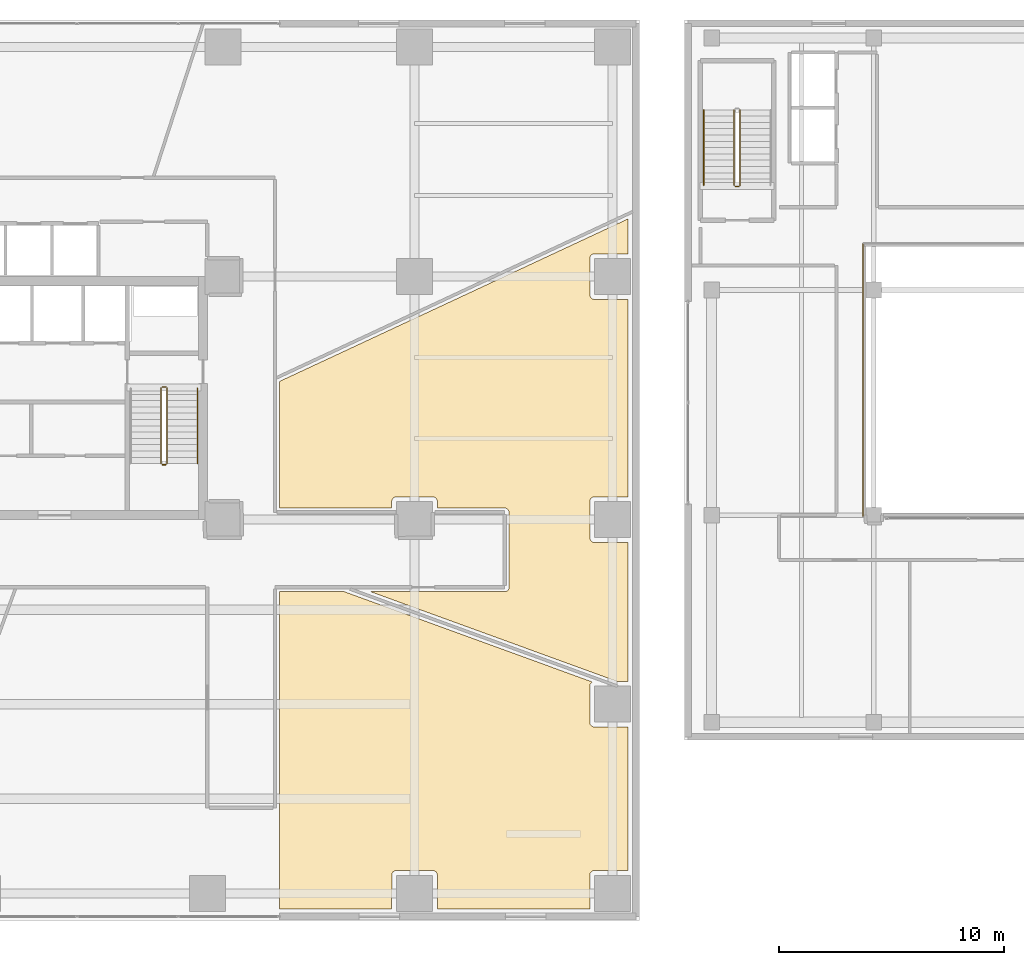
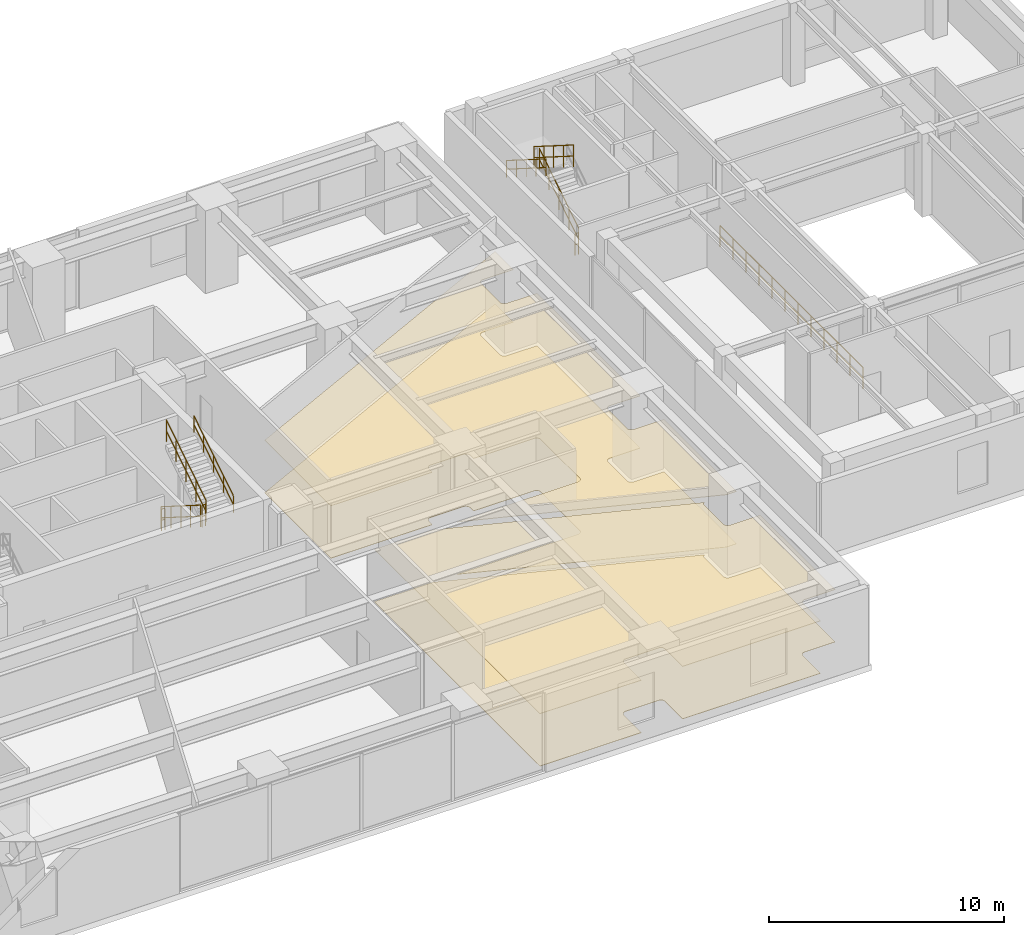
# One storey, part 24 of 25: 10 railings, 4 coverings.
"""IFC4 building model written with IfcOpenShell, lengths in metres."""

from ifc_helpers import new_model, si_unit, direction, frame, origin, origin_2d, place, context, subcontext, project, spatial, polyline, circle, outline, extrude, material, layer, layer_set, type_object, element, save


model = new_model("IFC4")

# Units and contexts
model_context = context("Model", 3, precision=1e-05, world=origin(), true_north=direction((0.0, 1.0)))
body_context = subcontext(model_context, "Body", "Model", "MODEL_VIEW")
ifc_project = project(units=[si_unit("LENGTHUNIT", "METRE"), si_unit("AREAUNIT", "SQUARE_METRE"), si_unit("VOLUMEUNIT", "CUBIC_METRE"), si_unit("PLANEANGLEUNIT", "RADIAN"), si_unit("MASSUNIT", "GRAM", prefix="KILO")], contexts=[model_context])

# Site, building, storey
site_placement = place(None, origin())
site = spatial("IfcSite", under=ifc_project, at=site_placement, CompositionType="ELEMENT")
building_placement = place(site_placement, origin())
building = spatial("IfcBuilding", under=site, at=building_placement, Name="Talar Marvaseh", CompositionType="ELEMENT")
storey_placement = place(building_placement, frame((0.0, 0.0, 5.199951171875)))
storey = spatial("IfcBuildingStorey", under=building, at=storey_placement, Name="L01", CompositionType="ELEMENT", Elevation=5.199951171875)

# Railings
ifc_material_1 = material(Name="Stainless Steel Grade 316", Category="steel")
railing_type_1 = type_object("IfcRailingType", Name="Brushed Stainless Wall Pitch Handrail 900", PredefinedType="HANDRAIL", material=ifc_material_1)
railing_1_placement = place(storey_placement, frame((32.35009765625, 28.2900390625, 2.47705078125)))
element("IfcRailing", 1, at=railing_1_placement, inside=storey, type_object=railing_type_1, Name="L01 ST-2 stair handrail 2", PredefinedType="HANDRAIL", context=body_context, shape_type="SweptSolid", body=[
    extrude(circle(Radius=0.02392578125, at=origin_2d()), frame((0.0, 0.0, 0.8759765625), z_axis=(0.0, 0.845372108799, 0.534177870812), x_axis=(-1.0, 0.0, 0.0)), (0.0, 0.0, 1.0), 3.974365234375),
    extrude(circle(Radius=0.02392578125, at=origin_2d()), frame((0.0, 0.0, 0.42578125), z_axis=(0.0, 0.845372108799, 0.534177870812), x_axis=(-1.0, 0.0, 0.0)), (0.0, 0.0, 1.0), 3.974365234375),
    extrude(circle(Radius=0.02099609375, at=origin_2d()), origin(), (0.0, 0.0, 1.0), 0.851806640625),
    extrude(circle(Radius=0.02099609375, at=origin_2d()), frame((0.0, 0.83984375, 0.53076171875)), (0.0, 0.0, 1.0), 0.851806640625),
    extrude(circle(Radius=0.02099609375, at=origin_2d()), frame((0.0, 1.679931640625, 1.0615234375)), (0.0, 0.0, 1.0), 0.851806640625),
    extrude(circle(Radius=0.02099609375, at=origin_2d()), frame((0.0, 2.52001953125, 1.59228515625)), (0.0, 0.0, 1.0), 0.851806640625),
    extrude(circle(Radius=0.02099609375, at=origin_2d()), frame((0.0, 3.35986328125, 2.123046875)), (0.0, 0.0, 1.0), 0.851806640625),
])
railing_2_placement = place(storey_placement, frame((54.85009765625, 44.010009765625, 2.47705078125)))
element("IfcRailing", 2, at=railing_2_placement, inside=storey, type_object=railing_type_1, Name="L01 MH-ST1 stair handrail 2", PredefinedType="HANDRAIL", context=body_context, shape_type="SweptSolid", body=[
    extrude(circle(Radius=0.02392578125, at=origin_2d()), frame((0.0, 0.0, 0.8759765625), z_axis=(0.0, -0.845389635667, 0.534150132366), x_axis=(1.0, 0.0, 0.0)), (0.0, 0.0, 1.0), 3.974609375),
    extrude(circle(Radius=0.02392578125, at=origin_2d()), frame((0.0, 0.0, 0.42578125), z_axis=(0.0, -0.845389635667, 0.534150132366), x_axis=(1.0, 0.0, 0.0)), (0.0, 0.0, 1.0), 3.974609375),
    extrude(circle(Radius=0.02099609375, at=origin_2d()), origin(), (0.0, 0.0, 1.0), 0.851806640625),
    extrude(circle(Radius=0.02099609375, at=origin_2d()), frame((0.0, -0.840087890625, 0.53076171875)), (0.0, 0.0, 1.0), 0.851806640625),
    extrude(circle(Radius=0.02099609375, at=origin_2d()), frame((0.0, -1.68017578125, 1.0615234375)), (0.0, 0.0, 1.0), 0.851806640625),
    extrude(circle(Radius=0.02099609375, at=origin_2d()), frame((0.0, -2.52001953125, 1.59228515625)), (0.0, 0.0, 1.0), 0.851806640625),
    extrude(circle(Radius=0.02099609375, at=origin_2d()), frame((0.0, -3.360107421875, 2.123046875)), (0.0, 0.0, 1.0), 0.851806640625),
])
ifc_material_2 = material(Name="Tempered Clear Glass", Category="glass")
railing_type_2 = type_object("IfcRailingType", Name="Interior Atrium Edge Balustrade 1120", PredefinedType="BALUSTRADE", material=ifc_material_2)
railing_3_placement = place(storey_placement, frame((61.919921875, 38.080078125, 0.0)))
element("IfcRailing", 3, at=railing_3_placement, inside=storey, type_object=railing_type_2, Name="L01 Market Courtyard Void Balustrade 4", PredefinedType="BALUSTRADE", context=body_context, shape_type="SweptSolid", body=[
    extrude(circle(Radius=0.02392578125, at=origin_2d()), frame((0.0, 0.0, 1.09619140625), z_axis=(0.0, -1.0, 0.0), x_axis=(1.0, 0.0, 0.0)), (0.0, 0.0, 1.0), 12.16015625),
    extrude(circle(Radius=0.02392578125, at=origin_2d()), frame((0.0, 0.0, 0.5361328125), z_axis=(0.0, -1.0, 0.0), x_axis=(1.0, 0.0, 0.0)), (0.0, 0.0, 1.0), 12.16015625),
    extrude(circle(Radius=0.02099609375, at=origin_2d()), origin(), (0.0, 0.0, 1.0), 1.072021484375),
    extrude(circle(Radius=0.02099609375, at=origin_2d()), frame((0.0, -1.10546875, 0.0)), (0.0, 0.0, 1.0), 1.072021484375),
    extrude(circle(Radius=0.02099609375, at=origin_2d()), frame((0.0, -2.2109375, 0.0)), (0.0, 0.0, 1.0), 1.072021484375),
    extrude(circle(Radius=0.02099609375, at=origin_2d()), frame((0.0, -3.31640625, 0.0)), (0.0, 0.0, 1.0), 1.072021484375),
    extrude(circle(Radius=0.02099609375, at=origin_2d()), frame((0.0, -4.421875, 0.0)), (0.0, 0.0, 1.0), 1.072021484375),
    extrude(circle(Radius=0.02099609375, at=origin_2d()), frame((0.0, -5.52734375, 0.0)), (0.0, 0.0, 1.0), 1.072021484375),
    extrude(circle(Radius=0.02099609375, at=origin_2d()), frame((0.0, -6.6328125, 0.0)), (0.0, 0.0, 1.0), 1.072021484375),
    extrude(circle(Radius=0.02099609375, at=origin_2d()), frame((0.0, -7.73828125, 0.0)), (0.0, 0.0, 1.0), 1.072021484375),
    extrude(circle(Radius=0.02099609375, at=origin_2d()), frame((0.0, -8.84375, 0.0)), (0.0, 0.0, 1.0), 1.072021484375),
    extrude(circle(Radius=0.02099609375, at=origin_2d()), frame((0.0, -9.94921875, 0.0)), (0.0, 0.0, 1.0), 1.072021484375),
    extrude(circle(Radius=0.02099609375, at=origin_2d()), frame((0.0, -11.0546875, 0.0)), (0.0, 0.0, 1.0), 1.072021484375),
    extrude(circle(Radius=0.02099609375, at=origin_2d()), frame((0.0, -12.16015625, 0.0)), (0.0, 0.0, 1.0), 1.072021484375),
])
railing_type_3 = type_object("IfcRailingType", Name="Painted Steel Core Stair Well Guardrail 1150", PredefinedType="GUARDRAIL", material=ifc_material_1)
railing_4_placement = place(storey_placement, frame((30.739990234375, 31.64990234375, 0.177001953125)))
element("IfcRailing", 4, at=railing_4_placement, inside=storey, type_object=railing_type_3, Name="L01 ST-2 stair guard 1", PredefinedType="GUARDRAIL", context=body_context, shape_type="SweptSolid", body=[
    extrude(circle(Radius=0.02392578125, at=origin_2d()), frame((0.0, 0.0, 1.1259765625), z_axis=(0.0, -0.845372108799, 0.534177870812), x_axis=(1.0, 0.0, 0.0)), (0.0, 0.0, 1.0), 3.974365234375),
    extrude(circle(Radius=0.02392578125, at=origin_2d()), frame((0.0, 0.0, 0.55078125), z_axis=(0.0, -0.845372108799, 0.534177870812), x_axis=(1.0, 0.0, 0.0)), (0.0, 0.0, 1.0), 3.974365234375),
    extrude(circle(Radius=0.02099609375, at=origin_2d()), origin(), (0.0, 0.0, 1.0), 1.101806640625),
    extrude(circle(Radius=0.02099609375, at=origin_2d()), frame((0.0, -0.83984375, 0.53076171875)), (0.0, 0.0, 1.0), 1.101806640625),
    extrude(circle(Radius=0.02099609375, at=origin_2d()), frame((0.0, -1.679931640625, 1.0615234375)), (0.0, 0.0, 1.0), 1.101806640625),
    extrude(circle(Radius=0.02099609375, at=origin_2d()), frame((0.0, -2.52001953125, 1.59228515625)), (0.0, 0.0, 1.0), 1.101806640625),
    extrude(circle(Radius=0.02099609375, at=origin_2d()), frame((0.0, -3.35986328125, 2.123046875)), (0.0, 0.0, 1.0), 1.101806640625),
])
railing_5_placement = place(storey_placement, frame((30.7900390625, 28.239990234375, 2.300048828125)))
element("IfcRailing", 5, at=railing_5_placement, inside=storey, type_object=railing_type_3, Name="L01 ST-2 stair guard 2", PredefinedType="GUARDRAIL", context=body_context, shape_type="SweptSolid", body=[
    extrude(circle(Radius=0.02392578125, at=origin_2d()), frame((0.0, 0.0, 1.1259765625), z_axis=(1.0, 0.0, 0.0), x_axis=(0.0, 1.0, 0.0)), (0.0, 0.0, 1.0), 0.159912109375),
    extrude(circle(Radius=0.02392578125, at=origin_2d()), frame((0.0, 0.0, 0.55078125), z_axis=(1.0, 0.0, 0.0), x_axis=(0.0, 1.0, 0.0)), (0.0, 0.0, 1.0), 0.159912109375),
    extrude(circle(Radius=0.02099609375, at=origin_2d()), origin(), (0.0, 0.0, 1.0), 1.101806640625),
    extrude(circle(Radius=0.02099609375, at=origin_2d()), frame((0.159912109375, 0.0, 0.0)), (0.0, 0.0, 1.0), 1.101806640625),
])
railing_6_placement = place(storey_placement, frame((31.0, 28.2900390625, 2.47705078125)))
element("IfcRailing", 6, at=railing_6_placement, inside=storey, type_object=railing_type_3, Name="L01 ST-2 stair guard 3", PredefinedType="GUARDRAIL", context=body_context, shape_type="SweptSolid", body=[
    extrude(circle(Radius=0.02392578125, at=origin_2d()), frame((0.0, 0.0, 1.1259765625), z_axis=(0.0, 0.845372108799, 0.534177870812), x_axis=(-1.0, 0.0, 0.0)), (0.0, 0.0, 1.0), 3.974365234375),
    extrude(circle(Radius=0.02392578125, at=origin_2d()), frame((0.0, 0.0, 0.55078125), z_axis=(0.0, 0.845372108799, 0.534177870812), x_axis=(-1.0, 0.0, 0.0)), (0.0, 0.0, 1.0), 3.974365234375),
    extrude(circle(Radius=0.02099609375, at=origin_2d()), origin(), (0.0, 0.0, 1.0), 1.101806640625),
    extrude(circle(Radius=0.02099609375, at=origin_2d()), frame((0.0, 0.83984375, 0.53076171875)), (0.0, 0.0, 1.0), 1.101806640625),
    extrude(circle(Radius=0.02099609375, at=origin_2d()), frame((0.0, 1.679931640625, 1.0615234375)), (0.0, 0.0, 1.0), 1.101806640625),
    extrude(circle(Radius=0.02099609375, at=origin_2d()), frame((0.0, 2.52001953125, 1.59228515625)), (0.0, 0.0, 1.0), 1.101806640625),
    extrude(circle(Radius=0.02099609375, at=origin_2d()), frame((0.0, 3.35986328125, 2.123046875)), (0.0, 0.0, 1.0), 1.101806640625),
])
railing_7_placement = place(storey_placement, frame((30.7900390625, 31.699951171875, 0.0)))
element("IfcRailing", 7, at=railing_7_placement, inside=storey, type_object=railing_type_3, Name="L01 ST-2 stair guard 4", PredefinedType="GUARDRAIL", context=body_context, shape_type="SweptSolid", body=[
    extrude(circle(Radius=0.02392578125, at=origin_2d()), frame((0.0, 0.0, 1.1259765625), z_axis=(1.0, 0.0, 0.0), x_axis=(0.0, 1.0, 0.0)), (0.0, 0.0, 1.0), 0.159912109375),
    extrude(circle(Radius=0.02392578125, at=origin_2d()), frame((0.0, 0.0, 0.55078125), z_axis=(1.0, 0.0, 0.0), x_axis=(0.0, 1.0, 0.0)), (0.0, 0.0, 1.0), 0.159912109375),
    extrude(circle(Radius=0.02099609375, at=origin_2d()), origin(), (0.0, 0.0, 1.0), 1.101806640625),
    extrude(circle(Radius=0.02099609375, at=origin_2d()), frame((0.159912109375, 0.0, 0.0)), (0.0, 0.0, 1.0), 1.101806640625),
])
railing_8_placement = place(storey_placement, frame((56.4599609375, 40.64990234375, 0.177001953125)))
element("IfcRailing", 8, at=railing_8_placement, inside=storey, type_object=railing_type_3, Name="L01 MH-ST1 stair guard 1", PredefinedType="GUARDRAIL", context=body_context, shape_type="SweptSolid", body=[
    extrude(circle(Radius=0.02392578125, at=origin_2d()), frame((0.0, 0.0, 1.1259765625), z_axis=(0.0, 0.845389635667, 0.534150132366), x_axis=(-1.0, 0.0, 0.0)), (0.0, 0.0, 1.0), 3.974609375),
    extrude(circle(Radius=0.02392578125, at=origin_2d()), frame((0.0, 0.0, 0.55078125), z_axis=(0.0, 0.845389635667, 0.534150132366), x_axis=(-1.0, 0.0, 0.0)), (0.0, 0.0, 1.0), 3.974609375),
    extrude(circle(Radius=0.02099609375, at=origin_2d()), origin(), (0.0, 0.0, 1.0), 1.101806640625),
    extrude(circle(Radius=0.02099609375, at=origin_2d()), frame((0.0, 0.840087890625, 0.53076171875)), (0.0, 0.0, 1.0), 1.101806640625),
    extrude(circle(Radius=0.02099609375, at=origin_2d()), frame((0.0, 1.68017578125, 1.0615234375)), (0.0, 0.0, 1.0), 1.101806640625),
    extrude(circle(Radius=0.02099609375, at=origin_2d()), frame((0.0, 2.52001953125, 1.59228515625)), (0.0, 0.0, 1.0), 1.101806640625),
    extrude(circle(Radius=0.02099609375, at=origin_2d()), frame((0.0, 3.360107421875, 2.123046875)), (0.0, 0.0, 1.0), 1.101806640625),
])
railing_9_placement = place(storey_placement, frame((56.199951171875, 44.010009765625, 2.47705078125)))
element("IfcRailing", 9, at=railing_9_placement, inside=storey, type_object=railing_type_3, Name="L01 MH-ST1 stair guard 3", PredefinedType="GUARDRAIL", context=body_context, shape_type="SweptSolid", body=[
    extrude(circle(Radius=0.02392578125, at=origin_2d()), frame((0.0, 0.0, 1.1259765625), z_axis=(0.0, -0.845389635667, 0.534150132366), x_axis=(1.0, 0.0, 0.0)), (0.0, 0.0, 1.0), 3.974609375),
    extrude(circle(Radius=0.02392578125, at=origin_2d()), frame((0.0, 0.0, 0.55078125), z_axis=(0.0, -0.845389635667, 0.534150132366), x_axis=(1.0, 0.0, 0.0)), (0.0, 0.0, 1.0), 3.974609375),
    extrude(circle(Radius=0.02099609375, at=origin_2d()), origin(), (0.0, 0.0, 1.0), 1.101806640625),
    extrude(circle(Radius=0.02099609375, at=origin_2d()), frame((0.0, -0.840087890625, 0.53076171875)), (0.0, 0.0, 1.0), 1.101806640625),
    extrude(circle(Radius=0.02099609375, at=origin_2d()), frame((0.0, -1.68017578125, 1.0615234375)), (0.0, 0.0, 1.0), 1.101806640625),
    extrude(circle(Radius=0.02099609375, at=origin_2d()), frame((0.0, -2.52001953125, 1.59228515625)), (0.0, 0.0, 1.0), 1.101806640625),
    extrude(circle(Radius=0.02099609375, at=origin_2d()), frame((0.0, -3.360107421875, 2.123046875)), (0.0, 0.0, 1.0), 1.101806640625),
])
railing_10_placement = place(storey_placement, frame((56.409912109375, 40.60009765625, 0.0)))
element("IfcRailing", 10, at=railing_10_placement, inside=storey, type_object=railing_type_3, Name="L01 MH-ST1 stair guard 4", PredefinedType="GUARDRAIL", context=body_context, shape_type="SweptSolid", body=[
    extrude(circle(Radius=0.02392578125, at=origin_2d()), frame((0.0, 0.0, 1.1259765625), z_axis=(-1.0, 0.0, 0.0), x_axis=(0.0, -1.0, 0.0)), (0.0, 0.0, 1.0), 0.159912109375),
    extrude(circle(Radius=0.02392578125, at=origin_2d()), frame((0.0, 0.0, 0.55078125), z_axis=(-1.0, 0.0, 0.0), x_axis=(0.0, -1.0, 0.0)), (0.0, 0.0, 1.0), 0.159912109375),
    extrude(circle(Radius=0.02099609375, at=origin_2d()), origin(), (0.0, 0.0, 1.0), 1.101806640625),
    extrude(circle(Radius=0.02099609375, at=origin_2d()), frame((-0.159912109375, 0.0, 0.0)), (0.0, 0.0, 1.0), 1.101806640625),
])

# Coverings
ifc_material_3 = material(Name="Mineral Fibre Acoustic Ceiling")
ifc_layer_1 = layer(ifc_material_3, 0.02490234375)
ifc_layer_set_1 = layer_set([ifc_layer_1], Name="Mineral Fibre Acoustic Ceiling")
covering_type_1 = type_object("IfcCoveringType", Name="Perforated Mineral Fibre Acoustic Suspended Ceiling", PredefinedType="CEILING", material=ifc_layer_set_1)
covering_1_placement = place(storey_placement, frame((0.0, 0.0, 2.719970703125)))
element("IfcCovering", 11, at=covering_1_placement, inside=storey, type_object=covering_type_1, Name="L01 Temporary Exhibition Gallery Acoustic Ceiling", PredefinedType="CEILING", context=body_context, shape_type="SweptSolid", body=[
    extrude(outline(polyline([(38.877685546875, 22.60009765625), (49.900146484375, 18.588134765625), (49.897216796875, 18.586669921875), (49.884033203125, 18.57861328125), (49.866943359375, 18.567138671875), (49.85107421875, 18.55419921875), (49.8369140625, 18.539306640625), (49.823974609375, 18.523193359375), (49.81298828125, 18.505859375), (49.8037109375, 18.4873046875), (49.79638671875, 18.46826171875), (49.791015625, 18.4482421875), (49.787841796875, 18.427978515625), (49.786865234375, 18.4072265625), (49.784912109375, 16.80029296875), (49.7861328125, 16.779052734375), (49.789306640625, 16.75830078125), (49.794921875, 16.73779296875), (49.802490234375, 16.718017578125), (49.812255859375, 16.69921875), (49.823974609375, 16.681396484375), (49.83447265625, 16.6669921875), (49.84619140625, 16.652587890625), (49.859619140625, 16.63916015625), (49.873779296875, 16.626953125), (49.88916015625, 16.6162109375), (49.905517578125, 16.60693359375), (49.922607421875, 16.599365234375), (49.9404296875, 16.593505859375), (49.95849609375, 16.589111328125), (49.977294921875, 16.58642578125), (49.995849609375, 16.585693359375), (51.489990234375, 16.588134765625), (51.489990234375, 10.210693359375), (49.989501953125, 10.210693359375), (49.9697265625, 10.209716796875), (49.950439453125, 10.206787109375), (49.931396484375, 10.201904296875), (49.912841796875, 10.1953125), (49.89501953125, 10.18701171875), (49.87841796875, 10.177001953125), (49.862548828125, 10.165283203125), (49.847900390625, 10.152099609375), (49.834716796875, 10.137451171875), (49.822998046875, 10.12158203125), (49.81298828125, 10.10498046875), (49.8046875, 10.087158203125), (49.798095703125, 10.068603515625), (49.793212890625, 10.049560546875), (49.790283203125, 10.0302734375), (49.789306640625, 10.010498046875), (49.789306640625, 8.510009765625), (43.010498046875, 8.510009765625), (43.010498046875, 10.010498046875), (43.009521484375, 10.0302734375), (43.0068359375, 10.049560546875), (43.001953125, 10.068603515625), (42.995361328125, 10.087158203125), (42.987060546875, 10.10498046875), (42.976806640625, 10.12158203125), (42.965087890625, 10.137451171875), (42.951904296875, 10.152099609375), (42.9375, 10.165283203125), (42.921630859375, 10.177001953125), (42.90478515625, 10.18701171875), (42.88720703125, 10.1953125), (42.86865234375, 10.201904296875), (42.849609375, 10.206787109375), (42.830078125, 10.209716796875), (42.810546875, 10.210693359375), (41.189453125, 10.210693359375), (41.169921875, 10.209716796875), (41.150390625, 10.206787109375), (41.13134765625, 10.201904296875), (41.113037109375, 10.1953125), (41.09521484375, 10.18701171875), (41.07861328125, 10.177001953125), (41.062744140625, 10.165283203125), (41.048095703125, 10.152099609375), (41.034912109375, 10.1376953125), (41.023193359375, 10.1220703125), (41.01318359375, 10.105224609375), (41.0048828125, 10.08740234375), (40.998046875, 10.069091796875), (40.993408203125, 10.050048828125), (40.990478515625, 10.03076171875), (40.989501953125, 10.010986328125), (40.9853515625, 8.510009765625), (36.0, 8.510009765625), (36.0, 13.0), (36.0, 22.60009765625), (38.877685546875, 22.60009765625)])), origin(), (0.0, 0.0, 1.0), 0.025146484375),
])
covering_2_placement = place(storey_placement, frame((0.0, 0.0, 2.719970703125)))
element("IfcCovering", 12, at=covering_2_placement, inside=storey, type_object=covering_type_1, Name="L01 Public Orientation Theatre Acoustic Ceiling", PredefinedType="CEILING", context=body_context, shape_type="SweptSolid", body=[
    extrude(outline(polyline([(49.895263671875, 24.814697265625), (49.911376953125, 24.8056640625), (49.92822265625, 24.79833984375), (49.94580078125, 24.79248046875), (49.9638671875, 24.788330078125), (49.982177734375, 24.785888671875), (50.00048828125, 24.784912109375), (51.489990234375, 24.7890625), (51.489990234375, 18.614013671875), (50.99609375, 18.614990234375), (40.04736328125, 22.60009765625), (46.0, 22.60009765625), (46.01953125, 22.60107421875), (46.0390625, 22.603759765625), (46.05810546875, 22.608642578125), (46.076416015625, 22.615234375), (46.09423828125, 22.62353515625), (46.111083984375, 22.6337890625), (46.126953125, 22.6455078125), (46.141357421875, 22.65869140625), (46.154541015625, 22.673095703125), (46.166259765625, 22.68896484375), (46.176513671875, 22.705810546875), (46.184814453125, 22.723388671875), (46.19140625, 22.741943359375), (46.1962890625, 22.760986328125), (46.198974609375, 22.780517578125), (46.199951171875, 22.800048828125), (46.199951171875, 26.1201171875), (46.198974609375, 26.1396484375), (46.1962890625, 26.158935546875), (46.19140625, 26.177978515625), (46.184814453125, 26.196533203125), (46.176513671875, 26.21435546875), (46.166259765625, 26.231201171875), (46.154541015625, 26.246826171875), (46.141357421875, 26.261474609375), (46.126953125, 26.274658203125), (46.111083984375, 26.286376953125), (46.09423828125, 26.29638671875), (46.076416015625, 26.3046875), (46.05810546875, 26.311279296875), (46.0390625, 26.316162109375), (46.01953125, 26.319091796875), (46.0, 26.320068359375), (43.014892578125, 26.320068359375), (43.014892578125, 26.60009765625), (43.013916015625, 26.61962890625), (43.01123046875, 26.638916015625), (43.00634765625, 26.658203125), (42.999755859375, 26.676513671875), (42.991455078125, 26.6943359375), (42.981201171875, 26.711181640625), (42.969482421875, 26.726806640625), (42.956298828125, 26.741455078125), (42.94140625, 26.75634765625), (42.927001953125, 26.76953125), (42.9111328125, 26.78125), (42.894287109375, 26.79150390625), (42.87646484375, 26.7998046875), (42.85791015625, 26.806396484375), (42.839111328125, 26.811279296875), (42.819580078125, 26.81396484375), (42.7998046875, 26.81494140625), (41.195556640625, 26.814453125), (41.1767578125, 26.8134765625), (41.158203125, 26.810791015625), (41.14013671875, 26.806396484375), (41.122314453125, 26.800537109375), (41.105224609375, 26.79296875), (41.089111328125, 26.78369140625), (41.07373046875, 26.77294921875), (41.059326171875, 26.760986328125), (41.04638671875, 26.74755859375), (41.034423828125, 26.73291015625), (41.02392578125, 26.718505859375), (41.01220703125, 26.700927734375), (41.002685546875, 26.68212890625), (40.9951171875, 26.662353515625), (40.989501953125, 26.64208984375), (40.986083984375, 26.62109375), (40.985107421875, 26.60009765625), (40.985107421875, 26.320068359375), (36.0, 26.320068359375), (36.0, 31.9423828125), (51.489990234375, 39.16552734375), (51.489990234375, 37.610595703125), (49.989501953125, 37.610595703125), (49.9697265625, 37.609619140625), (49.950439453125, 37.606689453125), (49.931396484375, 37.60205078125), (49.912841796875, 37.595458984375), (49.89501953125, 37.5869140625), (49.87841796875, 37.576904296875), (49.862548828125, 37.565185546875), (49.847900390625, 37.552001953125), (49.834716796875, 37.53759765625), (49.822998046875, 37.521728515625), (49.81298828125, 37.5048828125), (49.8046875, 37.487060546875), (49.798095703125, 37.46875), (49.793212890625, 37.44970703125), (49.790283203125, 37.43017578125), (49.789306640625, 37.41064453125), (49.789306640625, 35.789306640625), (49.790283203125, 35.769775390625), (49.793212890625, 35.75048828125), (49.798095703125, 35.7314453125), (49.8046875, 35.712890625), (49.81298828125, 35.6953125), (49.822998046875, 35.678466796875), (49.834716796875, 35.66259765625), (49.847900390625, 35.648193359375), (49.8623046875, 35.635009765625), (49.8779296875, 35.623291015625), (49.894775390625, 35.61328125), (49.91259765625, 35.604736328125), (49.930908203125, 35.59814453125), (49.949951171875, 35.59326171875), (49.96923828125, 35.59033203125), (49.989013671875, 35.58935546875), (51.489990234375, 35.58544921875), (51.489990234375, 26.810546875), (49.989501953125, 26.810546875), (49.9697265625, 26.8095703125), (49.950439453125, 26.806884765625), (49.931396484375, 26.802001953125), (49.9130859375, 26.79541015625), (49.895263671875, 26.787109375), (49.87841796875, 26.777099609375), (49.86279296875, 26.765380859375), (49.84814453125, 26.752197265625), (49.8349609375, 26.73779296875), (49.8232421875, 26.721923828125), (49.813232421875, 26.705078125), (49.8046875, 26.6875), (49.798095703125, 26.669189453125), (49.793212890625, 26.650146484375), (49.790283203125, 26.630615234375), (49.789306640625, 26.611083984375), (49.78515625, 24.9990234375), (49.785888671875, 24.98046875), (49.78857421875, 24.9619140625), (49.792724609375, 24.94384765625), (49.798583984375, 24.92626953125), (49.80615234375, 24.9091796875), (49.815185546875, 24.89306640625), (49.82568359375, 24.877685546875), (49.837646484375, 24.86328125), (49.850830078125, 24.850341796875), (49.86572265625, 24.8369140625), (49.8798828125, 24.824951171875), (49.895263671875, 24.814697265625)])), origin(), (0.0, 0.0, 1.0), 0.025146484375),
])
ifc_material_4 = material(Name="Porcelain Stoneware Tile", Category="masonry")
ifc_layer_2 = layer(ifc_material_4, 0.02001953125)
ifc_layer_set_2 = layer_set([ifc_layer_2], Name="Porcelain Stoneware Tile")
covering_type_2 = type_object("IfcCoveringType", Name="Polished Porcelain Stoneware Gallery Flooring", PredefinedType="FLOORING", material=ifc_layer_set_2)
covering_3_placement = place(storey_placement, origin())
element("IfcCovering", 13, at=covering_3_placement, inside=storey, type_object=covering_type_2, Name="L01 Temporary Exhibition Gallery Flooring", PredefinedType="FLOORING", context=body_context, shape_type="SweptSolid", body=[
    extrude(outline(polyline([(38.877685546875, 22.60009765625), (49.900146484375, 18.588134765625), (49.897216796875, 18.586669921875), (49.884033203125, 18.57861328125), (49.866943359375, 18.567138671875), (49.85107421875, 18.55419921875), (49.8369140625, 18.539306640625), (49.823974609375, 18.523193359375), (49.81298828125, 18.505859375), (49.8037109375, 18.4873046875), (49.79638671875, 18.46826171875), (49.791015625, 18.4482421875), (49.787841796875, 18.427978515625), (49.786865234375, 18.4072265625), (49.784912109375, 16.80029296875), (49.7861328125, 16.779052734375), (49.789306640625, 16.75830078125), (49.794921875, 16.73779296875), (49.802490234375, 16.718017578125), (49.812255859375, 16.69921875), (49.823974609375, 16.681396484375), (49.83447265625, 16.6669921875), (49.84619140625, 16.652587890625), (49.859619140625, 16.63916015625), (49.873779296875, 16.626953125), (49.88916015625, 16.6162109375), (49.905517578125, 16.60693359375), (49.922607421875, 16.599365234375), (49.9404296875, 16.593505859375), (49.95849609375, 16.589111328125), (49.977294921875, 16.58642578125), (49.995849609375, 16.585693359375), (51.489990234375, 16.588134765625), (51.489990234375, 10.210693359375), (49.989501953125, 10.210693359375), (49.9697265625, 10.209716796875), (49.950439453125, 10.206787109375), (49.931396484375, 10.201904296875), (49.912841796875, 10.1953125), (49.89501953125, 10.18701171875), (49.87841796875, 10.177001953125), (49.862548828125, 10.165283203125), (49.847900390625, 10.152099609375), (49.834716796875, 10.137451171875), (49.822998046875, 10.12158203125), (49.81298828125, 10.10498046875), (49.8046875, 10.087158203125), (49.798095703125, 10.068603515625), (49.793212890625, 10.049560546875), (49.790283203125, 10.0302734375), (49.789306640625, 10.010498046875), (49.789306640625, 8.510009765625), (43.010498046875, 8.510009765625), (43.010498046875, 10.010498046875), (43.009521484375, 10.0302734375), (43.0068359375, 10.049560546875), (43.001953125, 10.068603515625), (42.995361328125, 10.087158203125), (42.987060546875, 10.10498046875), (42.976806640625, 10.12158203125), (42.965087890625, 10.137451171875), (42.951904296875, 10.152099609375), (42.9375, 10.165283203125), (42.921630859375, 10.177001953125), (42.90478515625, 10.18701171875), (42.88720703125, 10.1953125), (42.86865234375, 10.201904296875), (42.849609375, 10.206787109375), (42.830078125, 10.209716796875), (42.810546875, 10.210693359375), (41.189453125, 10.210693359375), (41.169921875, 10.209716796875), (41.150390625, 10.206787109375), (41.13134765625, 10.201904296875), (41.113037109375, 10.1953125), (41.09521484375, 10.18701171875), (41.07861328125, 10.177001953125), (41.062744140625, 10.165283203125), (41.048095703125, 10.152099609375), (41.034912109375, 10.1376953125), (41.023193359375, 10.1220703125), (41.01318359375, 10.105224609375), (41.0048828125, 10.08740234375), (40.998046875, 10.069091796875), (40.993408203125, 10.050048828125), (40.990478515625, 10.03076171875), (40.989501953125, 10.010986328125), (40.9853515625, 8.510009765625), (36.0, 8.510009765625), (36.0, 13.0), (36.0, 22.60009765625), (38.877685546875, 22.60009765625)])), origin(), (0.0, 0.0, 1.0), 0.02001953125),
])
covering_4_placement = place(storey_placement, origin())
element("IfcCovering", 14, at=covering_4_placement, inside=storey, type_object=covering_type_2, Name="L01 Public Orientation Theatre Flooring", PredefinedType="FLOORING", context=body_context, shape_type="SweptSolid", body=[
    extrude(outline(polyline([(49.895263671875, 24.814697265625), (49.911376953125, 24.8056640625), (49.92822265625, 24.79833984375), (49.94580078125, 24.79248046875), (49.9638671875, 24.788330078125), (49.982177734375, 24.785888671875), (50.00048828125, 24.784912109375), (51.489990234375, 24.7890625), (51.489990234375, 18.614013671875), (50.99609375, 18.614990234375), (40.04736328125, 22.60009765625), (46.0, 22.60009765625), (46.01953125, 22.60107421875), (46.0390625, 22.603759765625), (46.05810546875, 22.608642578125), (46.076416015625, 22.615234375), (46.09423828125, 22.62353515625), (46.111083984375, 22.6337890625), (46.126953125, 22.6455078125), (46.141357421875, 22.65869140625), (46.154541015625, 22.673095703125), (46.166259765625, 22.68896484375), (46.176513671875, 22.705810546875), (46.184814453125, 22.723388671875), (46.19140625, 22.741943359375), (46.1962890625, 22.760986328125), (46.198974609375, 22.780517578125), (46.199951171875, 22.800048828125), (46.199951171875, 26.1201171875), (46.198974609375, 26.1396484375), (46.1962890625, 26.158935546875), (46.19140625, 26.177978515625), (46.184814453125, 26.196533203125), (46.176513671875, 26.21435546875), (46.166259765625, 26.231201171875), (46.154541015625, 26.246826171875), (46.141357421875, 26.261474609375), (46.126953125, 26.274658203125), (46.111083984375, 26.286376953125), (46.09423828125, 26.29638671875), (46.076416015625, 26.3046875), (46.05810546875, 26.311279296875), (46.0390625, 26.316162109375), (46.01953125, 26.319091796875), (46.0, 26.320068359375), (43.014892578125, 26.320068359375), (43.014892578125, 26.60009765625), (43.013916015625, 26.61962890625), (43.01123046875, 26.638916015625), (43.00634765625, 26.658203125), (42.999755859375, 26.676513671875), (42.991455078125, 26.6943359375), (42.981201171875, 26.711181640625), (42.969482421875, 26.726806640625), (42.956298828125, 26.741455078125), (42.94140625, 26.75634765625), (42.927001953125, 26.76953125), (42.9111328125, 26.78125), (42.894287109375, 26.79150390625), (42.87646484375, 26.7998046875), (42.85791015625, 26.806396484375), (42.839111328125, 26.811279296875), (42.819580078125, 26.81396484375), (42.7998046875, 26.81494140625), (41.195556640625, 26.814453125), (41.1767578125, 26.8134765625), (41.158203125, 26.810791015625), (41.14013671875, 26.806396484375), (41.122314453125, 26.800537109375), (41.105224609375, 26.79296875), (41.089111328125, 26.78369140625), (41.07373046875, 26.77294921875), (41.059326171875, 26.760986328125), (41.04638671875, 26.74755859375), (41.034423828125, 26.73291015625), (41.02392578125, 26.718505859375), (41.01220703125, 26.700927734375), (41.002685546875, 26.68212890625), (40.9951171875, 26.662353515625), (40.989501953125, 26.64208984375), (40.986083984375, 26.62109375), (40.985107421875, 26.60009765625), (40.985107421875, 26.320068359375), (36.0, 26.320068359375), (36.0, 31.9423828125), (51.489990234375, 39.16552734375), (51.489990234375, 37.610595703125), (49.989501953125, 37.610595703125), (49.9697265625, 37.609619140625), (49.950439453125, 37.606689453125), (49.931396484375, 37.60205078125), (49.912841796875, 37.595458984375), (49.89501953125, 37.5869140625), (49.87841796875, 37.576904296875), (49.862548828125, 37.565185546875), (49.847900390625, 37.552001953125), (49.834716796875, 37.53759765625), (49.822998046875, 37.521728515625), (49.81298828125, 37.5048828125), (49.8046875, 37.487060546875), (49.798095703125, 37.46875), (49.793212890625, 37.44970703125), (49.790283203125, 37.43017578125), (49.789306640625, 37.41064453125), (49.789306640625, 35.789306640625), (49.790283203125, 35.769775390625), (49.793212890625, 35.75048828125), (49.798095703125, 35.7314453125), (49.8046875, 35.712890625), (49.81298828125, 35.6953125), (49.822998046875, 35.678466796875), (49.834716796875, 35.66259765625), (49.847900390625, 35.648193359375), (49.8623046875, 35.635009765625), (49.8779296875, 35.623291015625), (49.894775390625, 35.61328125), (49.91259765625, 35.604736328125), (49.930908203125, 35.59814453125), (49.949951171875, 35.59326171875), (49.96923828125, 35.59033203125), (49.989013671875, 35.58935546875), (51.489990234375, 35.58544921875), (51.489990234375, 26.810546875), (49.989501953125, 26.810546875), (49.9697265625, 26.8095703125), (49.950439453125, 26.806884765625), (49.931396484375, 26.802001953125), (49.9130859375, 26.79541015625), (49.895263671875, 26.787109375), (49.87841796875, 26.777099609375), (49.86279296875, 26.765380859375), (49.84814453125, 26.752197265625), (49.8349609375, 26.73779296875), (49.8232421875, 26.721923828125), (49.813232421875, 26.705078125), (49.8046875, 26.6875), (49.798095703125, 26.669189453125), (49.793212890625, 26.650146484375), (49.790283203125, 26.630615234375), (49.789306640625, 26.611083984375), (49.78515625, 24.9990234375), (49.785888671875, 24.98046875), (49.78857421875, 24.9619140625), (49.792724609375, 24.94384765625), (49.798583984375, 24.92626953125), (49.80615234375, 24.9091796875), (49.815185546875, 24.89306640625), (49.82568359375, 24.877685546875), (49.837646484375, 24.86328125), (49.850830078125, 24.850341796875), (49.86572265625, 24.8369140625), (49.8798828125, 24.824951171875), (49.895263671875, 24.814697265625)])), origin(), (0.0, 0.0, 1.0), 0.02001953125),
])

save(model, "model.ifc")
